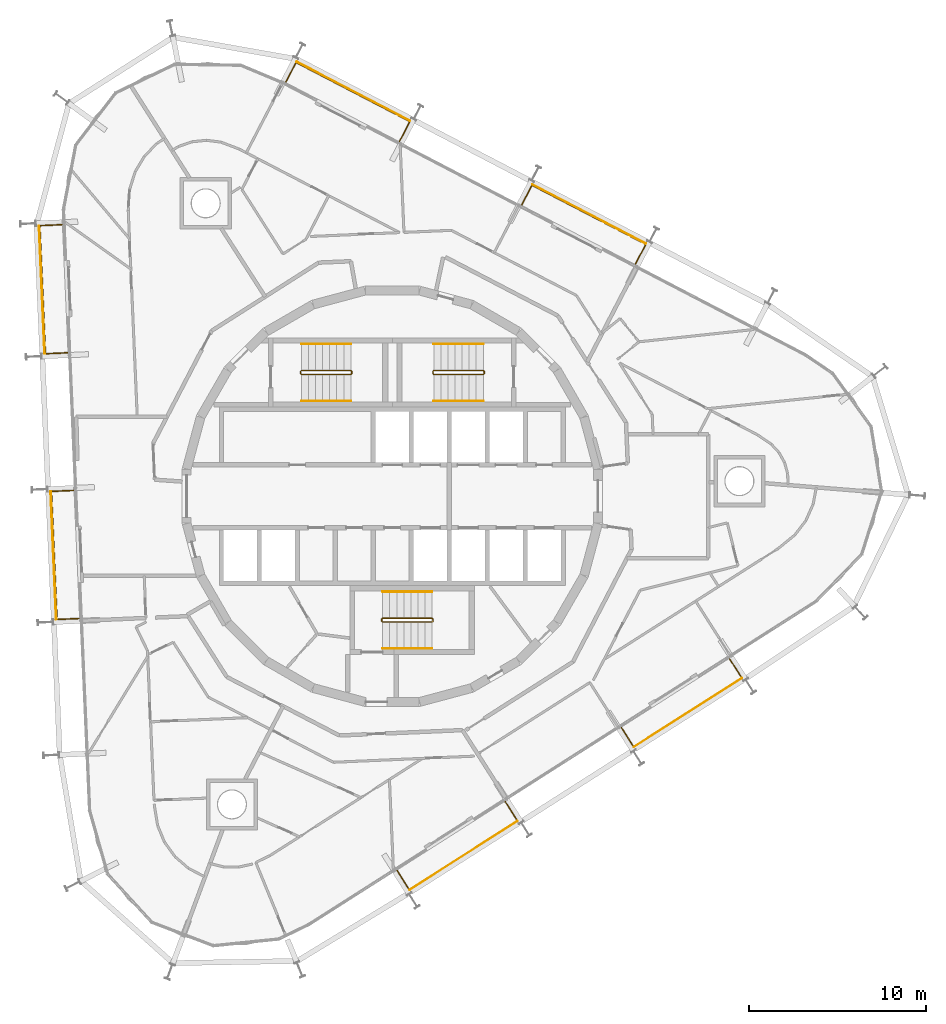
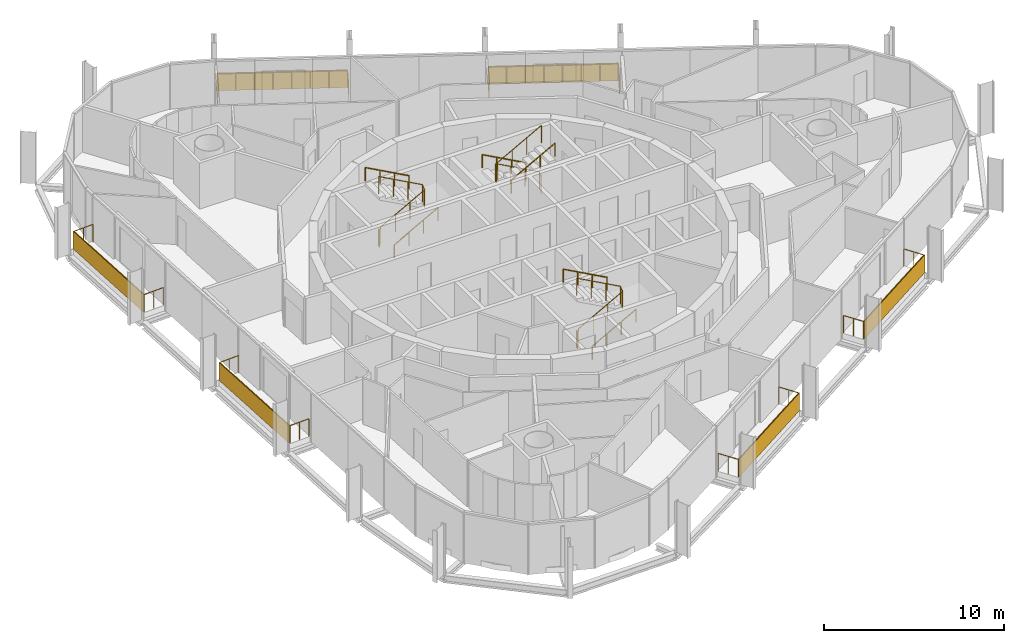
# One storey, part 18 of 18: 15 railings, 6 shading devices.
"""IFC4 building model written with IfcOpenShell, lengths in metres."""

from ifc_helpers import new_model, si_unit, direction, frame, origin, origin_2d, place, context, subcontext, project, spatial, rectangle, circle, extrude, material, layer, layer_set, type_object, element, save


model = new_model("IFC4")

# Units and contexts
model_context = context("Model", 3, precision=1e-05, world=origin(), true_north=direction((0.0, 1.0)))
body_context = subcontext(model_context, "Body", "Model", "MODEL_VIEW")
ifc_project = project(units=[si_unit("LENGTHUNIT", "METRE"), si_unit("AREAUNIT", "SQUARE_METRE"), si_unit("VOLUMEUNIT", "CUBIC_METRE"), si_unit("PLANEANGLEUNIT", "RADIAN"), si_unit("MASSUNIT", "GRAM", prefix="KILO")], contexts=[model_context])

# Site, building, storey
site_placement = place(None, origin())
site = spatial("IfcSite", under=ifc_project, at=site_placement, CompositionType="ELEMENT")
building_placement = place(site_placement, origin())
building = spatial("IfcBuilding", under=site, at=building_placement, Name="Spindle Arch Residences", CompositionType="ELEMENT")
storey_placement = place(building_placement, frame((0.0, 0.0, 247.699951171875)))
storey = spatial("IfcBuildingStorey", under=building, at=storey_placement, Name="L63", CompositionType="ELEMENT", Elevation=247.699951171875)

# Railings
ifc_material_1 = material(Name="Bronze anodised aluminium guard with glass infill", Category="aluminium")
railing_type_1 = type_object("IfcRailingType", Name="Balcony guard 1200", PredefinedType="GUARDRAIL", material=ifc_material_1)
railing_1_placement = place(storey_placement, frame((12.9736328125, -13.106201171875, 0.0)))
element("IfcRailing", 1, at=railing_1_placement, inside=storey, type_object=railing_type_1, Name="Guard L63 bay 1", PredefinedType="GUARDRAIL", context=body_context, shape_type="SweptSolid", body=[
    extrude(circle(Radius=0.02392578125, at=origin_2d()), frame((0.0, 0.0, 1.17578125), z_axis=(0.537317754526, -0.843379885148, 0.0), x_axis=(0.843379885148, 0.537317754526, 0.0)), (0.0, 0.0, 1.0), 1.25),
    extrude(circle(Radius=0.02392578125, at=origin_2d()), frame((0.671630859375, -1.05419921875, 1.17578125), z_axis=(0.843396919493, 0.537291016294, 0.0), x_axis=(-0.537291016294, 0.843396919493, 0.0)), (0.0, 0.0, 1.0), 7.26025390625),
    extrude(circle(Radius=0.02392578125, at=origin_2d()), frame((6.794921875, 2.8466796875, 1.17578125), z_axis=(-0.537317754526, 0.843379885148, 0.0), x_axis=(-0.843379885148, -0.537317754526, 0.0)), (0.0, 0.0, 1.0), 1.25),
    extrude(circle(Radius=0.02099609375, at=origin_2d()), origin(), (0.0, 0.0, 1.0), 1.15185546875),
    extrude(circle(Radius=0.02099609375, at=origin_2d()), frame((0.3359375, -0.527099609375, 0.0)), (0.0, 0.0, 1.0), 1.15185546875),
    extrude(circle(Radius=0.02099609375, at=origin_2d()), frame((0.671630859375, -1.05419921875, 0.0)), (0.0, 0.0, 1.0), 1.15185546875),
    extrude(circle(Radius=0.02099609375, at=origin_2d()), frame((1.54638671875, -0.496826171875, 0.0)), (0.0, 0.0, 1.0), 1.15185546875),
    extrude(circle(Radius=0.02099609375, at=origin_2d()), frame((2.421142578125, 0.060302734375, 0.0)), (0.0, 0.0, 1.0), 1.15185546875),
    extrude(circle(Radius=0.02099609375, at=origin_2d()), frame((3.2958984375, 0.61767578125, 0.0)), (0.0, 0.0, 1.0), 1.15185546875),
    extrude(circle(Radius=0.02099609375, at=origin_2d()), frame((4.170654296875, 1.1748046875, 0.0)), (0.0, 0.0, 1.0), 1.15185546875),
    extrude(circle(Radius=0.02099609375, at=origin_2d()), frame((5.04541015625, 1.732177734375, 0.0)), (0.0, 0.0, 1.0), 1.15185546875),
    extrude(circle(Radius=0.02099609375, at=origin_2d()), frame((5.920166015625, 2.289306640625, 0.0)), (0.0, 0.0, 1.0), 1.15185546875),
    extrude(circle(Radius=0.02099609375, at=origin_2d()), frame((6.794921875, 2.8466796875, 0.0)), (0.0, 0.0, 1.0), 1.15185546875),
    extrude(circle(Radius=0.02099609375, at=origin_2d()), frame((6.458984375, 3.373779296875, 0.0)), (0.0, 0.0, 1.0), 1.15185546875),
    extrude(circle(Radius=0.02099609375, at=origin_2d()), frame((6.123291015625, 3.90087890625, 0.0)), (0.0, 0.0, 1.0), 1.15185546875),
])
railing_2_placement = place(storey_placement, frame((13.76904296875, 13.152587890625, 0.0)))
element("IfcRailing", 2, at=railing_2_placement, inside=storey, type_object=railing_type_1, Name="Guard L63 bay 7", PredefinedType="GUARDRAIL", context=body_context, shape_type="SweptSolid", body=[
    extrude(circle(Radius=0.02392578125, at=origin_2d()), frame((0.0, 0.0, 1.17578125), z_axis=(0.461684760331, 0.887044069975, 0.0), x_axis=(-0.887044069975, 0.461684760331, 0.0)), (0.0, 0.0, 1.0), 1.25),
    extrude(circle(Radius=0.02392578125, at=origin_2d()), frame((0.5771484375, 1.10888671875, 1.17578125), z_axis=(-0.887010793131, 0.461748690165, 0.0), x_axis=(-0.461748690165, -0.887010793131, 0.0)), (0.0, 0.0, 1.0), 7.260009765625),
    extrude(circle(Radius=0.02392578125, at=origin_2d()), frame((-5.862548828125, 4.461181640625, 1.17578125), z_axis=(-0.461684760331, -0.887044069975, 0.0), x_axis=(0.887044069975, -0.461684760331, 0.0)), (0.0, 0.0, 1.0), 1.25),
    extrude(circle(Radius=0.02099609375, at=origin_2d()), origin(), (0.0, 0.0, 1.0), 1.15185546875),
    extrude(circle(Radius=0.02099609375, at=origin_2d()), frame((0.28857421875, 0.554443359375, 0.0)), (0.0, 0.0, 1.0), 1.15185546875),
    extrude(circle(Radius=0.02099609375, at=origin_2d()), frame((0.5771484375, 1.10888671875, 0.0)), (0.0, 0.0, 1.0), 1.15185546875),
    extrude(circle(Radius=0.02099609375, at=origin_2d()), frame((-0.3427734375, 1.587890625, 0.0)), (0.0, 0.0, 1.0), 1.15185546875),
    extrude(circle(Radius=0.02099609375, at=origin_2d()), frame((-1.2626953125, 2.066650390625, 0.0)), (0.0, 0.0, 1.0), 1.15185546875),
    extrude(circle(Radius=0.02099609375, at=origin_2d()), frame((-2.1826171875, 2.545654296875, 0.0)), (0.0, 0.0, 1.0), 1.15185546875),
    extrude(circle(Radius=0.02099609375, at=origin_2d()), frame((-3.102783203125, 3.0244140625, 0.0)), (0.0, 0.0, 1.0), 1.15185546875),
    extrude(circle(Radius=0.02099609375, at=origin_2d()), frame((-4.022705078125, 3.50341796875, 0.0)), (0.0, 0.0, 1.0), 1.15185546875),
    extrude(circle(Radius=0.02099609375, at=origin_2d()), frame((-4.942626953125, 3.982177734375, 0.0)), (0.0, 0.0, 1.0), 1.15185546875),
    extrude(circle(Radius=0.02099609375, at=origin_2d()), frame((-5.862548828125, 4.461181640625, 0.0)), (0.0, 0.0, 1.0), 1.15185546875),
    extrude(circle(Radius=0.02099609375, at=origin_2d()), frame((-6.151123046875, 3.90673828125, 0.0)), (0.0, 0.0, 1.0), 1.15185546875),
    extrude(circle(Radius=0.02099609375, at=origin_2d()), frame((-6.439697265625, 3.352294921875, 0.0)), (0.0, 0.0, 1.0), 1.15185546875),
])
railing_3_placement = place(storey_placement, frame((0.410400390625, 20.106689453125, 0.0)))
element("IfcRailing", 3, at=railing_3_placement, inside=storey, type_object=railing_type_1, Name="Guard L63 bay 9", PredefinedType="GUARDRAIL", context=body_context, shape_type="SweptSolid", body=[
    extrude(circle(Radius=0.02392578125, at=origin_2d()), frame((0.0, 0.0, 1.17578125), z_axis=(0.461918414855, 0.88692241939, 0.0), x_axis=(-0.88692241939, 0.461918414855, 0.0)), (0.0, 0.0, 1.0), 1.25),
    extrude(circle(Radius=0.02392578125, at=origin_2d()), frame((0.577392578125, 1.108642578125, 1.17578125), z_axis=(-0.887017962739, 0.461734917218, 0.0), x_axis=(-0.461734917218, -0.887017962739, 0.0)), (0.0, 0.0, 1.0), 7.26025390625),
    extrude(circle(Radius=0.02392578125, at=origin_2d()), frame((-5.862548828125, 4.4609375, 1.17578125), z_axis=(-0.461764753675, -0.887002430811, 0.0), x_axis=(0.887002430811, -0.461764753675, 0.0)), (0.0, 0.0, 1.0), 1.249755859375),
    extrude(circle(Radius=0.02099609375, at=origin_2d()), origin(), (0.0, 0.0, 1.0), 1.15185546875),
    extrude(circle(Radius=0.02099609375, at=origin_2d()), frame((0.28857421875, 0.55419921875, 0.0)), (0.0, 0.0, 1.0), 1.15185546875),
    extrude(circle(Radius=0.02099609375, at=origin_2d()), frame((0.577392578125, 1.108642578125, 0.0)), (0.0, 0.0, 1.0), 1.15185546875),
    extrude(circle(Radius=0.02099609375, at=origin_2d()), frame((-0.342529296875, 1.587646484375, 0.0)), (0.0, 0.0, 1.0), 1.15185546875),
    extrude(circle(Radius=0.02099609375, at=origin_2d()), frame((-1.2626953125, 2.06640625, 0.0)), (0.0, 0.0, 1.0), 1.15185546875),
    extrude(circle(Radius=0.02099609375, at=origin_2d()), frame((-2.1826171875, 2.54541015625, 0.0)), (0.0, 0.0, 1.0), 1.15185546875),
    extrude(circle(Radius=0.02099609375, at=origin_2d()), frame((-3.1025390625, 3.024169921875, 0.0)), (0.0, 0.0, 1.0), 1.15185546875),
    extrude(circle(Radius=0.02099609375, at=origin_2d()), frame((-4.0224609375, 3.503173828125, 0.0)), (0.0, 0.0, 1.0), 1.15185546875),
    extrude(circle(Radius=0.02099609375, at=origin_2d()), frame((-4.942626953125, 3.98193359375, 0.0)), (0.0, 0.0, 1.0), 1.15185546875),
    extrude(circle(Radius=0.02099609375, at=origin_2d()), frame((-5.862548828125, 4.4609375, 0.0)), (0.0, 0.0, 1.0), 1.15185546875),
    extrude(circle(Radius=0.02099609375, at=origin_2d()), frame((-6.151123046875, 3.90673828125, 0.0)), (0.0, 0.0, 1.0), 1.15185546875),
    extrude(circle(Radius=0.02099609375, at=origin_2d()), frame((-6.439697265625, 3.352294921875, 0.0)), (0.0, 0.0, 1.0), 1.15185546875),
])
railing_4_placement = place(storey_placement, frame((-18.712890625, 15.378662109375, 0.0)))
element("IfcRailing", 4, at=railing_4_placement, inside=storey, type_object=railing_type_1, Name="Guard L63 bay 13", PredefinedType="GUARDRAIL", context=body_context, shape_type="SweptSolid", body=[
    extrude(circle(Radius=0.02392578125, at=origin_2d()), frame((0.0, 0.0, 1.17578125), z_axis=(-0.999042473849, -0.043750833654, 0.0), x_axis=(0.043750833654, -0.999042473849, 0.0)), (0.0, 0.0, 1.0), 1.25),
    extrude(circle(Radius=0.02392578125, at=origin_2d()), frame((-1.248779296875, -0.0546875, 1.17578125), z_axis=(0.043615260597, -0.999048401752, 0.0), x_axis=(0.999048401752, 0.043615260597, 0.0)), (0.0, 0.0, 1.0), 7.260009765625),
    extrude(circle(Radius=0.02392578125, at=origin_2d()), frame((-0.93212890625, -7.307861328125, 1.17578125), z_axis=(0.999042473849, 0.043750833654, 0.0), x_axis=(-0.043750833654, 0.999042473849, 0.0)), (0.0, 0.0, 1.0), 1.25),
    extrude(circle(Radius=0.02099609375, at=origin_2d()), origin(), (0.0, 0.0, 1.0), 1.15185546875),
    extrude(circle(Radius=0.02099609375, at=origin_2d()), frame((-0.62451171875, -0.02734375, 0.0)), (0.0, 0.0, 1.0), 1.15185546875),
    extrude(circle(Radius=0.02099609375, at=origin_2d()), frame((-1.248779296875, -0.0546875, 0.0)), (0.0, 0.0, 1.0), 1.15185546875),
    extrude(circle(Radius=0.02099609375, at=origin_2d()), frame((-1.20361328125, -1.0908203125, 0.0)), (0.0, 0.0, 1.0), 1.15185546875),
    extrude(circle(Radius=0.02099609375, at=origin_2d()), frame((-1.158203125, -2.126953125, 0.0)), (0.0, 0.0, 1.0), 1.15185546875),
    extrude(circle(Radius=0.02099609375, at=origin_2d()), frame((-1.113037109375, -3.1630859375, 0.0)), (0.0, 0.0, 1.0), 1.15185546875),
    extrude(circle(Radius=0.02099609375, at=origin_2d()), frame((-1.06787109375, -4.199462890625, 0.0)), (0.0, 0.0, 1.0), 1.15185546875),
    extrude(circle(Radius=0.02099609375, at=origin_2d()), frame((-1.022705078125, -5.235595703125, 0.0)), (0.0, 0.0, 1.0), 1.15185546875),
    extrude(circle(Radius=0.02099609375, at=origin_2d()), frame((-0.977294921875, -6.271728515625, 0.0)), (0.0, 0.0, 1.0), 1.15185546875),
    extrude(circle(Radius=0.02099609375, at=origin_2d()), frame((-0.93212890625, -7.307861328125, 0.0)), (0.0, 0.0, 1.0), 1.15185546875),
    extrude(circle(Radius=0.02099609375, at=origin_2d()), frame((-0.3076171875, -7.280517578125, 0.0)), (0.0, 0.0, 1.0), 1.15185546875),
    extrude(circle(Radius=0.02099609375, at=origin_2d()), frame((0.316650390625, -7.253173828125, 0.0)), (0.0, 0.0, 1.0), 1.15185546875),
])
railing_5_placement = place(storey_placement, frame((-18.05615234375, 0.332763671875, 0.0)))
element("IfcRailing", 5, at=railing_5_placement, inside=storey, type_object=railing_type_1, Name="Guard L63 bay 15", PredefinedType="GUARDRAIL", context=body_context, shape_type="SweptSolid", body=[
    extrude(circle(Radius=0.02392578125, at=origin_2d()), frame((0.0, 0.0, 1.17578125), z_axis=(-0.999050991967, -0.043555888799, 0.0), x_axis=(0.043555888799, -0.999050991967, 0.0)), (0.0, 0.0, 1.0), 1.25),
    extrude(circle(Radius=0.02392578125, at=origin_2d()), frame((-1.248779296875, -0.054443359375, 1.17578125), z_axis=(0.043615260597, -0.999048401752, 0.0), x_axis=(0.999048401752, 0.043615260597, 0.0)), (0.0, 0.0, 1.0), 7.260009765625),
    extrude(circle(Radius=0.02392578125, at=origin_2d()), frame((-0.93212890625, -7.3076171875, 1.17578125), z_axis=(0.999051362399, 0.043547391285, 0.0), x_axis=(-0.043547391285, 0.999051362399, 0.0)), (0.0, 0.0, 1.0), 1.250244140625),
    extrude(circle(Radius=0.02099609375, at=origin_2d()), origin(), (0.0, 0.0, 1.0), 1.15185546875),
    extrude(circle(Radius=0.02099609375, at=origin_2d()), frame((-0.62451171875, -0.02734375, 0.0)), (0.0, 0.0, 1.0), 1.15185546875),
    extrude(circle(Radius=0.02099609375, at=origin_2d()), frame((-1.248779296875, -0.054443359375, 0.0)), (0.0, 0.0, 1.0), 1.15185546875),
    extrude(circle(Radius=0.02099609375, at=origin_2d()), frame((-1.20361328125, -1.090576171875, 0.0)), (0.0, 0.0, 1.0), 1.15185546875),
    extrude(circle(Radius=0.02099609375, at=origin_2d()), frame((-1.158203125, -2.126708984375, 0.0)), (0.0, 0.0, 1.0), 1.15185546875),
    extrude(circle(Radius=0.02099609375, at=origin_2d()), frame((-1.113037109375, -3.162841796875, 0.0)), (0.0, 0.0, 1.0), 1.15185546875),
    extrude(circle(Radius=0.02099609375, at=origin_2d()), frame((-1.06787109375, -4.19921875, 0.0)), (0.0, 0.0, 1.0), 1.15185546875),
    extrude(circle(Radius=0.02099609375, at=origin_2d()), frame((-1.022705078125, -5.2353515625, 0.0)), (0.0, 0.0, 1.0), 1.15185546875),
    extrude(circle(Radius=0.02099609375, at=origin_2d()), frame((-0.977294921875, -6.271484375, 0.0)), (0.0, 0.0, 1.0), 1.15185546875),
    extrude(circle(Radius=0.02099609375, at=origin_2d()), frame((-0.93212890625, -7.3076171875, 0.0)), (0.0, 0.0, 1.0), 1.15185546875),
    extrude(circle(Radius=0.02099609375, at=origin_2d()), frame((-0.3076171875, -7.2802734375, 0.0)), (0.0, 0.0, 1.0), 1.15185546875),
    extrude(circle(Radius=0.02099609375, at=origin_2d()), frame((0.31689453125, -7.253173828125, 0.0)), (0.0, 0.0, 1.0), 1.15185546875),
])
railing_6_placement = place(storey_placement, frame((0.272216796875, -21.197998046875, 0.0)))
element("IfcRailing", 6, at=railing_6_placement, inside=storey, type_object=railing_type_1, Name="Guard L63 bay 21", PredefinedType="GUARDRAIL", context=body_context, shape_type="SweptSolid", body=[
    extrude(circle(Radius=0.02392578125, at=origin_2d()), frame((0.0, 0.0, 1.17578125), z_axis=(0.537317754526, -0.843379885148, 0.0), x_axis=(0.843379885148, 0.537317754526, 0.0)), (0.0, 0.0, 1.0), 1.25),
    extrude(circle(Radius=0.02392578125, at=origin_2d()), frame((0.671630859375, -1.05419921875, 1.17578125), z_axis=(0.843387211604, 0.537306254665, 0.0), x_axis=(-0.537306254665, 0.843387211604, 0.0)), (0.0, 0.0, 1.0), 7.260009765625),
    extrude(circle(Radius=0.02392578125, at=origin_2d()), frame((6.794677734375, 2.8466796875, 1.17578125), z_axis=(-0.537317754526, 0.843379885148, 0.0), x_axis=(-0.843379885148, -0.537317754526, 0.0)), (0.0, 0.0, 1.0), 1.25),
    extrude(circle(Radius=0.02099609375, at=origin_2d()), origin(), (0.0, 0.0, 1.0), 1.15185546875),
    extrude(circle(Radius=0.02099609375, at=origin_2d()), frame((0.3359375, -0.527099609375, 0.0)), (0.0, 0.0, 1.0), 1.15185546875),
    extrude(circle(Radius=0.02099609375, at=origin_2d()), frame((0.671630859375, -1.05419921875, 0.0)), (0.0, 0.0, 1.0), 1.15185546875),
    extrude(circle(Radius=0.02099609375, at=origin_2d()), frame((1.54638671875, -0.496826171875, 0.0)), (0.0, 0.0, 1.0), 1.15185546875),
    extrude(circle(Radius=0.02099609375, at=origin_2d()), frame((2.421142578125, 0.060302734375, 0.0)), (0.0, 0.0, 1.0), 1.15185546875),
    extrude(circle(Radius=0.02099609375, at=origin_2d()), frame((3.2958984375, 0.61767578125, 0.0)), (0.0, 0.0, 1.0), 1.15185546875),
    extrude(circle(Radius=0.02099609375, at=origin_2d()), frame((4.17041015625, 1.1748046875, 0.0)), (0.0, 0.0, 1.0), 1.15185546875),
    extrude(circle(Radius=0.02099609375, at=origin_2d()), frame((5.045166015625, 1.732177734375, 0.0)), (0.0, 0.0, 1.0), 1.15185546875),
    extrude(circle(Radius=0.02099609375, at=origin_2d()), frame((5.919921875, 2.289306640625, 0.0)), (0.0, 0.0, 1.0), 1.15185546875),
    extrude(circle(Radius=0.02099609375, at=origin_2d()), frame((6.794677734375, 2.8466796875, 0.0)), (0.0, 0.0, 1.0), 1.15185546875),
    extrude(circle(Radius=0.02099609375, at=origin_2d()), frame((6.458984375, 3.373779296875, 0.0)), (0.0, 0.0, 1.0), 1.15185546875),
    extrude(circle(Radius=0.02099609375, at=origin_2d()), frame((6.123046875, 3.90087890625, 0.0)), (0.0, 0.0, 1.0), 1.15185546875),
])

# Shading devices
ifc_material_2 = material(Name="Bronze perforated cobogo screen")
ifc_layer = layer(ifc_material_2, 0.0390625)
ifc_layer_set = layer_set([ifc_layer], Name="Cobogo screen 1200")
shading_device_type = type_object("IfcShadingDeviceType", Name="Cobogo screen 1200", PredefinedType="USERDEFINED", material=ifc_layer_set)
for number, where, z_axis, x_axis, name in (
    (7, (16.728759765625, -12.244140625, 0.0), (0.0, 0.0, 1.0), (0.843391445813, 0.537299608347, 0.0), "Cobogo screen L63 bay 1"),
    (8, (11.14501953125, 15.973388671875, 0.0), (0.0, 0.0, 1.0), (-0.887010833178, 0.461748613235, 0.0), "Cobogo screen L63 bay 7"),
    (9, (-2.21337890625, 22.927490234375, 0.0), (0.0, 0.0, 1.0), (-0.887010833178, 0.461748613235, 0.0), "Cobogo screen L63 bay 9"),
    (10, (-19.843994140625, 11.69580078125, 0.0), (0.0, 0.0, 1.0), (0.043619387365, -0.999048221582, 0.0), "Cobogo screen L63 bay 13"),
    (11, (-19.18701171875, -3.35009765625, 0.0), (0.0, 0.0, 1.0), (0.043619387365, -0.999048221582, 0.0), "Cobogo screen L63 bay 15"),
    (12, (4.027099609375, -20.3359375, 0.0), (0.0, 0.0, 1.0), (0.843391445813, 0.537299608347, 0.0), "Cobogo screen L63 bay 21"),
):
    element("IfcShadingDevice", number, at=place(storey_placement, frame(where, z_axis=z_axis, x_axis=x_axis)), inside=storey, type_object=shading_device_type, Name=name, ObjectType="SCREEN", PredefinedType="USERDEFINED", context=body_context, shape_type="SweptSolid", body=[
        extrude(rectangle(XDim=7.260009765625, YDim=0.0390625, at=origin_2d()), origin(), (0.0, 0.0, 1.0), 1.199951171875),
    ])

# Railings
ifc_material_3 = material(Name="Steel, painted", Category="steel")
railing_type_2 = type_object("IfcRailingType", Name="Stair guard 1100", PredefinedType="GUARDRAIL", material=ifc_material_3)
railing_7_placement = place(storey_placement, frame((5.14990234375, 6.89990234375, 3.5)))
element("IfcRailing", 13, at=railing_7_placement, inside=storey, type_object=railing_type_2, Name="L63 ST1 stair guard 1", PredefinedType="GUARDRAIL", context=body_context, shape_type="SweptSolid", body=[
    extrude(circle(Radius=0.02392578125, at=origin_2d()), frame((0.0, 0.0, 1.17578125), z_axis=(-0.877357048833, 0.0, -0.479838106931), x_axis=(0.0, -1.0, 0.0)), (0.0, 0.0, 1.0), 3.191162109375),
    extrude(circle(Radius=0.02392578125, at=origin_2d()), frame((-2.7998046875, 0.0, -0.35546875), z_axis=(-0.217683172539, 0.217683172539, -0.951434744366), x_axis=(-0.707106781187, -0.707106781187, 0.0)), (0.0, 0.0, 1.0), 0.22998046875),
    extrude(circle(Radius=0.02392578125, at=origin_2d()), frame((-2.849853515625, 0.050048828125, -0.57421875), z_axis=(0.0, 1.0, 0.0), x_axis=(-1.0, 0.0, 0.0)), (0.0, 0.0, 1.0), 0.1201171875),
    extrude(circle(Radius=0.02392578125, at=origin_2d()), frame((-2.849853515625, 0.170166015625, -0.57421875), z_axis=(0.707106781187, 0.707106781187, 0.0), x_axis=(-0.707106781187, 0.707106781187, 0.0)), (0.0, 0.0, 1.0), 0.07080078125),
    extrude(circle(Radius=0.02392578125, at=origin_2d()), frame((-2.7998046875, 0.22021484375, -0.57421875), z_axis=(0.877357048833, 0.0, -0.479838106931), x_axis=(0.0, 1.0, 0.0)), (0.0, 0.0, 1.0), 3.191162109375),
    extrude(circle(Radius=0.02392578125, at=origin_2d()), frame((0.0, 0.22021484375, -2.10546875), z_axis=(0.217683172539, -0.217683172539, -0.951434744366), x_axis=(0.707106781187, 0.707106781187, 0.0)), (0.0, 0.0, 1.0), 0.22998046875),
    extrude(circle(Radius=0.02392578125, at=origin_2d()), frame((0.050048828125, 0.170166015625, -2.32421875), z_axis=(0.0, -1.0, 0.0), x_axis=(1.0, 0.0, 0.0)), (0.0, 0.0, 1.0), 0.1201171875),
    extrude(circle(Radius=0.02099609375, at=origin_2d()), origin(), (0.0, 0.0, 1.0), 1.15185546875),
    extrude(circle(Radius=0.02099609375, at=origin_2d()), frame((-0.933349609375, 0.0, -0.510498046875)), (0.0, 0.0, 1.0), 1.15185546875),
    extrude(circle(Radius=0.02099609375, at=origin_2d()), frame((-1.866455078125, 0.0, -1.020751953125)), (0.0, 0.0, 1.0), 1.15185546875),
    extrude(circle(Radius=0.02099609375, at=origin_2d()), frame((-2.7998046875, 0.0, -1.53125)), (0.0, 0.0, 1.0), 1.15185546875),
    extrude(circle(Radius=0.02099609375, at=origin_2d()), frame((-2.849853515625, 0.050048828125, -1.75)), (0.0, 0.0, 1.0), 1.15185546875),
    extrude(circle(Radius=0.02099609375, at=origin_2d()), frame((-2.849853515625, 0.170166015625, -1.75)), (0.0, 0.0, 1.0), 1.15185546875),
    extrude(circle(Radius=0.02099609375, at=origin_2d()), frame((-2.7998046875, 0.22021484375, -1.75)), (0.0, 0.0, 1.0), 1.15185546875),
    extrude(circle(Radius=0.02099609375, at=origin_2d()), frame((-1.866455078125, 0.22021484375, -2.260498046875)), (0.0, 0.0, 1.0), 1.15185546875),
    extrude(circle(Radius=0.02099609375, at=origin_2d()), frame((-0.933349609375, 0.22021484375, -2.770751953125)), (0.0, 0.0, 1.0), 1.15185546875),
    extrude(circle(Radius=0.02099609375, at=origin_2d()), frame((0.0, 0.22021484375, -3.28125)), (0.0, 0.0, 1.0), 1.15185546875),
    extrude(circle(Radius=0.02099609375, at=origin_2d()), frame((0.050048828125, 0.170166015625, -3.5)), (0.0, 0.0, 1.0), 1.15185546875),
    extrude(circle(Radius=0.02099609375, at=origin_2d()), frame((0.050048828125, 0.050048828125, -3.5)), (0.0, 0.0, 1.0), 1.15185546875),
])
railing_8_placement = place(storey_placement, frame((-5.14990234375, 7.1201171875, 3.5)))
element("IfcRailing", 14, at=railing_8_placement, inside=storey, type_object=railing_type_2, Name="L63 ST2 stair guard 1", PredefinedType="GUARDRAIL", context=body_context, shape_type="SweptSolid", body=[
    extrude(circle(Radius=0.02392578125, at=origin_2d()), frame((0.0, 0.0, 1.17578125), z_axis=(0.877357048833, 0.0, -0.479838106931), x_axis=(0.0, 1.0, 0.0)), (0.0, 0.0, 1.0), 3.191162109375),
    extrude(circle(Radius=0.02392578125, at=origin_2d()), frame((2.7998046875, 0.0, -0.35546875), z_axis=(0.217683172539, -0.217683172539, -0.951434744366), x_axis=(0.707106781187, 0.707106781187, 0.0)), (0.0, 0.0, 1.0), 0.22998046875),
    extrude(circle(Radius=0.02392578125, at=origin_2d()), frame((2.849853515625, -0.050048828125, -0.57421875), z_axis=(0.0, -1.0, 0.0), x_axis=(1.0, 0.0, 0.0)), (0.0, 0.0, 1.0), 0.1201171875),
    extrude(circle(Radius=0.02392578125, at=origin_2d()), frame((2.849853515625, -0.170166015625, -0.57421875), z_axis=(-0.707106781187, -0.707106781187, 0.0), x_axis=(0.707106781187, -0.707106781187, 0.0)), (0.0, 0.0, 1.0), 0.07080078125),
    extrude(circle(Radius=0.02392578125, at=origin_2d()), frame((2.7998046875, -0.22021484375, -0.57421875), z_axis=(-0.877357048833, 0.0, -0.479838106931), x_axis=(0.0, -1.0, 0.0)), (0.0, 0.0, 1.0), 3.191162109375),
    extrude(circle(Radius=0.02392578125, at=origin_2d()), frame((0.0, -0.22021484375, -2.10546875), z_axis=(-0.217683172539, 0.217683172539, -0.951434744366), x_axis=(-0.707106781187, -0.707106781187, 0.0)), (0.0, 0.0, 1.0), 0.22998046875),
    extrude(circle(Radius=0.02392578125, at=origin_2d()), frame((-0.050048828125, -0.170166015625, -2.32421875), z_axis=(0.0, 1.0, 0.0), x_axis=(-1.0, 0.0, 0.0)), (0.0, 0.0, 1.0), 0.1201171875),
    extrude(circle(Radius=0.02099609375, at=origin_2d()), origin(), (0.0, 0.0, 1.0), 1.15185546875),
    extrude(circle(Radius=0.02099609375, at=origin_2d()), frame((0.933349609375, 0.0, -0.510498046875)), (0.0, 0.0, 1.0), 1.15185546875),
    extrude(circle(Radius=0.02099609375, at=origin_2d()), frame((1.866455078125, 0.0, -1.020751953125)), (0.0, 0.0, 1.0), 1.15185546875),
    extrude(circle(Radius=0.02099609375, at=origin_2d()), frame((2.7998046875, 0.0, -1.53125)), (0.0, 0.0, 1.0), 1.15185546875),
    extrude(circle(Radius=0.02099609375, at=origin_2d()), frame((2.849853515625, -0.050048828125, -1.75)), (0.0, 0.0, 1.0), 1.15185546875),
    extrude(circle(Radius=0.02099609375, at=origin_2d()), frame((2.849853515625, -0.170166015625, -1.75)), (0.0, 0.0, 1.0), 1.15185546875),
    extrude(circle(Radius=0.02099609375, at=origin_2d()), frame((2.7998046875, -0.22021484375, -1.75)), (0.0, 0.0, 1.0), 1.15185546875),
    extrude(circle(Radius=0.02099609375, at=origin_2d()), frame((1.866455078125, -0.22021484375, -2.260498046875)), (0.0, 0.0, 1.0), 1.15185546875),
    extrude(circle(Radius=0.02099609375, at=origin_2d()), frame((0.933349609375, -0.22021484375, -2.770751953125)), (0.0, 0.0, 1.0), 1.15185546875),
    extrude(circle(Radius=0.02099609375, at=origin_2d()), frame((0.0, -0.22021484375, -3.28125)), (0.0, 0.0, 1.0), 1.15185546875),
    extrude(circle(Radius=0.02099609375, at=origin_2d()), frame((-0.050048828125, -0.170166015625, -3.5)), (0.0, 0.0, 1.0), 1.15185546875),
    extrude(circle(Radius=0.02099609375, at=origin_2d()), frame((-0.050048828125, -0.050048828125, -3.5)), (0.0, 0.0, 1.0), 1.15185546875),
])
railing_9_placement = place(storey_placement, frame((-0.550048828125, -6.89990234375, 3.5)))
element("IfcRailing", 15, at=railing_9_placement, inside=storey, type_object=railing_type_2, Name="L63 ST3 stair guard 1", PredefinedType="GUARDRAIL", context=body_context, shape_type="SweptSolid", body=[
    extrude(circle(Radius=0.02392578125, at=origin_2d()), frame((0.0, 0.0, 1.17578125), z_axis=(0.877374661878, 0.0, -0.479805901063), x_axis=(0.0, 1.0, 0.0)), (0.0, 0.0, 1.0), 3.19140625),
    extrude(circle(Radius=0.02392578125, at=origin_2d()), frame((2.800048828125, 0.0, -0.35546875), z_axis=(0.217683172539, -0.217683172539, -0.951434744366), x_axis=(0.707106781187, 0.707106781187, 0.0)), (0.0, 0.0, 1.0), 0.22998046875),
    extrude(circle(Radius=0.02392578125, at=origin_2d()), frame((2.85009765625, -0.050048828125, -0.57421875), z_axis=(0.0, -1.0, 0.0), x_axis=(1.0, 0.0, 0.0)), (0.0, 0.0, 1.0), 0.1201171875),
    extrude(circle(Radius=0.02392578125, at=origin_2d()), frame((2.85009765625, -0.170166015625, -0.57421875), z_axis=(-0.707106781187, -0.707106781187, 0.0), x_axis=(0.707106781187, -0.707106781187, 0.0)), (0.0, 0.0, 1.0), 0.07080078125),
    extrude(circle(Radius=0.02392578125, at=origin_2d()), frame((2.800048828125, -0.22021484375, -0.57421875), z_axis=(-0.877374661878, 0.0, -0.479805901063), x_axis=(0.0, -1.0, 0.0)), (0.0, 0.0, 1.0), 3.19140625),
    extrude(circle(Radius=0.02392578125, at=origin_2d()), frame((0.0, -0.22021484375, -2.10546875), z_axis=(-0.217683172539, 0.217683172539, -0.951434744366), x_axis=(-0.707106781187, -0.707106781187, 0.0)), (0.0, 0.0, 1.0), 0.22998046875),
    extrude(circle(Radius=0.02392578125, at=origin_2d()), frame((-0.050048828125, -0.170166015625, -2.32421875), z_axis=(0.0, 1.0, 0.0), x_axis=(-1.0, 0.0, 0.0)), (0.0, 0.0, 1.0), 0.1201171875),
    extrude(circle(Radius=0.02099609375, at=origin_2d()), origin(), (0.0, 0.0, 1.0), 1.15185546875),
    extrude(circle(Radius=0.02099609375, at=origin_2d()), frame((0.933349609375, 0.0, -0.510498046875)), (0.0, 0.0, 1.0), 1.15185546875),
    extrude(circle(Radius=0.02099609375, at=origin_2d()), frame((1.86669921875, 0.0, -1.020751953125)), (0.0, 0.0, 1.0), 1.15185546875),
    extrude(circle(Radius=0.02099609375, at=origin_2d()), frame((2.800048828125, 0.0, -1.53125)), (0.0, 0.0, 1.0), 1.15185546875),
    extrude(circle(Radius=0.02099609375, at=origin_2d()), frame((2.85009765625, -0.050048828125, -1.75)), (0.0, 0.0, 1.0), 1.15185546875),
    extrude(circle(Radius=0.02099609375, at=origin_2d()), frame((2.85009765625, -0.170166015625, -1.75)), (0.0, 0.0, 1.0), 1.15185546875),
    extrude(circle(Radius=0.02099609375, at=origin_2d()), frame((2.800048828125, -0.22021484375, -1.75)), (0.0, 0.0, 1.0), 1.15185546875),
    extrude(circle(Radius=0.02099609375, at=origin_2d()), frame((1.86669921875, -0.22021484375, -2.260498046875)), (0.0, 0.0, 1.0), 1.15185546875),
    extrude(circle(Radius=0.02099609375, at=origin_2d()), frame((0.933349609375, -0.22021484375, -2.770751953125)), (0.0, 0.0, 1.0), 1.15185546875),
    extrude(circle(Radius=0.02099609375, at=origin_2d()), frame((0.0, -0.22021484375, -3.28125)), (0.0, 0.0, 1.0), 1.15185546875),
    extrude(circle(Radius=0.02099609375, at=origin_2d()), frame((-0.050048828125, -0.170166015625, -3.5)), (0.0, 0.0, 1.0), 1.15185546875),
    extrude(circle(Radius=0.02099609375, at=origin_2d()), frame((-0.050048828125, -0.050048828125, -3.5)), (0.0, 0.0, 1.0), 1.15185546875),
])
ifc_material_4 = material(Name="Steel, painted", Category="steel")
railing_type_3 = type_object("IfcRailingType", Name="Stair handrail 900", PredefinedType="HANDRAIL", material=ifc_material_4)
railing_10_placement = place(storey_placement, frame((5.14990234375, 8.6201171875, 0.21875)))
element("IfcRailing", 16, at=railing_10_placement, inside=storey, type_object=railing_type_3, Name="L63 ST1 stair handrail 1", PredefinedType="HANDRAIL", context=body_context, shape_type="SweptSolid", body=[
    extrude(circle(Radius=0.02392578125, at=origin_2d()), frame((0.0, 0.0, 0.8759765625), z_axis=(-0.877357048833, 0.0, 0.479838106931), x_axis=(0.0, -1.0, 0.0)), (0.0, 0.0, 1.0), 3.191162109375),
    extrude(circle(Radius=0.02099609375, at=origin_2d()), origin(), (0.0, 0.0, 1.0), 0.851806640625),
    extrude(circle(Radius=0.02099609375, at=origin_2d()), frame((-0.933349609375, 0.0, 0.510498046875)), (0.0, 0.0, 1.0), 0.851806640625),
    extrude(circle(Radius=0.02099609375, at=origin_2d()), frame((-1.866455078125, 0.0, 1.020751953125)), (0.0, 0.0, 1.0), 0.851806640625),
    extrude(circle(Radius=0.02099609375, at=origin_2d()), frame((-2.7998046875, 0.0, 1.53125)), (0.0, 0.0, 1.0), 0.851806640625),
])
for number, where, name in (
    (17, (2.35009765625, 5.39990234375, 1.96875), "L63 ST1 stair handrail 2"),
    (18, (-5.14990234375, 5.39990234375, 0.21875), "L63 ST2 stair handrail 1"),
):
    element("IfcRailing", number, at=place(storey_placement, frame(where)), inside=storey, type_object=railing_type_3, Name=name, PredefinedType="HANDRAIL", context=body_context, shape_type="SweptSolid", body=[
        extrude(circle(Radius=0.02392578125, at=origin_2d()), frame((0.0, 0.0, 0.8759765625), z_axis=(0.877357048833, 0.0, 0.479838106931), x_axis=(0.0, 1.0, 0.0)), (0.0, 0.0, 1.0), 3.191162109375),
        extrude(circle(Radius=0.02099609375, at=origin_2d()), origin(), (0.0, 0.0, 1.0), 0.851806640625),
        extrude(circle(Radius=0.02099609375, at=origin_2d()), frame((0.933349609375, 0.0, 0.510498046875)), (0.0, 0.0, 1.0), 0.851806640625),
        extrude(circle(Radius=0.02099609375, at=origin_2d()), frame((1.866455078125, 0.0, 1.020751953125)), (0.0, 0.0, 1.0), 0.851806640625),
        extrude(circle(Radius=0.02099609375, at=origin_2d()), frame((2.7998046875, 0.0, 1.53125)), (0.0, 0.0, 1.0), 0.851806640625),
    ])
railing_11_placement = place(storey_placement, frame((-2.35009765625, 8.6201171875, 1.96875)))
element("IfcRailing", 19, at=railing_11_placement, inside=storey, type_object=railing_type_3, Name="L63 ST2 stair handrail 2", PredefinedType="HANDRAIL", context=body_context, shape_type="SweptSolid", body=[
    extrude(circle(Radius=0.02392578125, at=origin_2d()), frame((0.0, 0.0, 0.8759765625), z_axis=(-0.877357048833, 0.0, 0.479838106931), x_axis=(0.0, -1.0, 0.0)), (0.0, 0.0, 1.0), 3.191162109375),
    extrude(circle(Radius=0.02099609375, at=origin_2d()), origin(), (0.0, 0.0, 1.0), 0.851806640625),
    extrude(circle(Radius=0.02099609375, at=origin_2d()), frame((-0.933349609375, 0.0, 0.510498046875)), (0.0, 0.0, 1.0), 0.851806640625),
    extrude(circle(Radius=0.02099609375, at=origin_2d()), frame((-1.866455078125, 0.0, 1.020751953125)), (0.0, 0.0, 1.0), 0.851806640625),
    extrude(circle(Radius=0.02099609375, at=origin_2d()), frame((-2.7998046875, 0.0, 1.53125)), (0.0, 0.0, 1.0), 0.851806640625),
])
railing_12_placement = place(storey_placement, frame((-0.550048828125, -8.6201171875, 0.21875)))
element("IfcRailing", 20, at=railing_12_placement, inside=storey, type_object=railing_type_3, Name="L63 ST3 stair handrail 1", PredefinedType="HANDRAIL", context=body_context, shape_type="SweptSolid", body=[
    extrude(circle(Radius=0.02392578125, at=origin_2d()), frame((0.0, 0.0, 0.8759765625), z_axis=(0.877374661878, 0.0, 0.479805901063), x_axis=(0.0, 1.0, 0.0)), (0.0, 0.0, 1.0), 3.19140625),
    extrude(circle(Radius=0.02099609375, at=origin_2d()), origin(), (0.0, 0.0, 1.0), 0.851806640625),
    extrude(circle(Radius=0.02099609375, at=origin_2d()), frame((0.933349609375, 0.0, 0.510498046875)), (0.0, 0.0, 1.0), 0.851806640625),
    extrude(circle(Radius=0.02099609375, at=origin_2d()), frame((1.86669921875, 0.0, 1.020751953125)), (0.0, 0.0, 1.0), 0.851806640625),
    extrude(circle(Radius=0.02099609375, at=origin_2d()), frame((2.800048828125, 0.0, 1.53125)), (0.0, 0.0, 1.0), 0.851806640625),
])
railing_13_placement = place(storey_placement, frame((2.25, -5.39990234375, 1.96875)))
element("IfcRailing", 21, at=railing_13_placement, inside=storey, type_object=railing_type_3, Name="L63 ST3 stair handrail 2", PredefinedType="HANDRAIL", context=body_context, shape_type="SweptSolid", body=[
    extrude(circle(Radius=0.02392578125, at=origin_2d()), frame((0.0, 0.0, 0.8759765625), z_axis=(-0.877374661878, 0.0, 0.479805901063), x_axis=(0.0, -1.0, 0.0)), (0.0, 0.0, 1.0), 3.19140625),
    extrude(circle(Radius=0.02099609375, at=origin_2d()), origin(), (0.0, 0.0, 1.0), 0.851806640625),
    extrude(circle(Radius=0.02099609375, at=origin_2d()), frame((-0.933349609375, 0.0, 0.510498046875)), (0.0, 0.0, 1.0), 0.851806640625),
    extrude(circle(Radius=0.02099609375, at=origin_2d()), frame((-1.86669921875, 0.0, 1.020751953125)), (0.0, 0.0, 1.0), 0.851806640625),
    extrude(circle(Radius=0.02099609375, at=origin_2d()), frame((-2.800048828125, 0.0, 1.53125)), (0.0, 0.0, 1.0), 0.851806640625),
])

save(model, "model.ifc")
